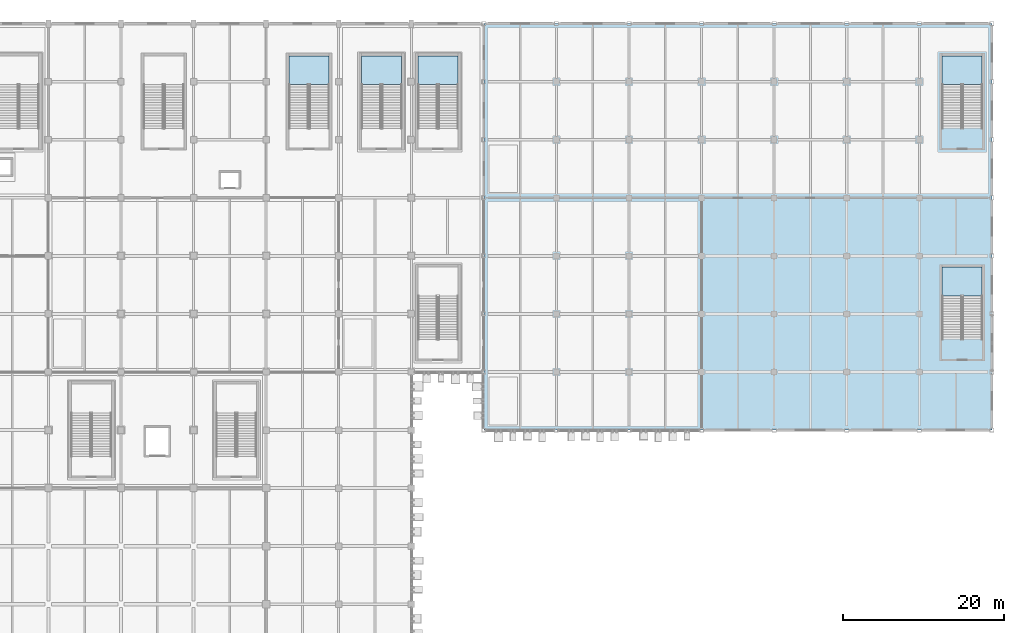
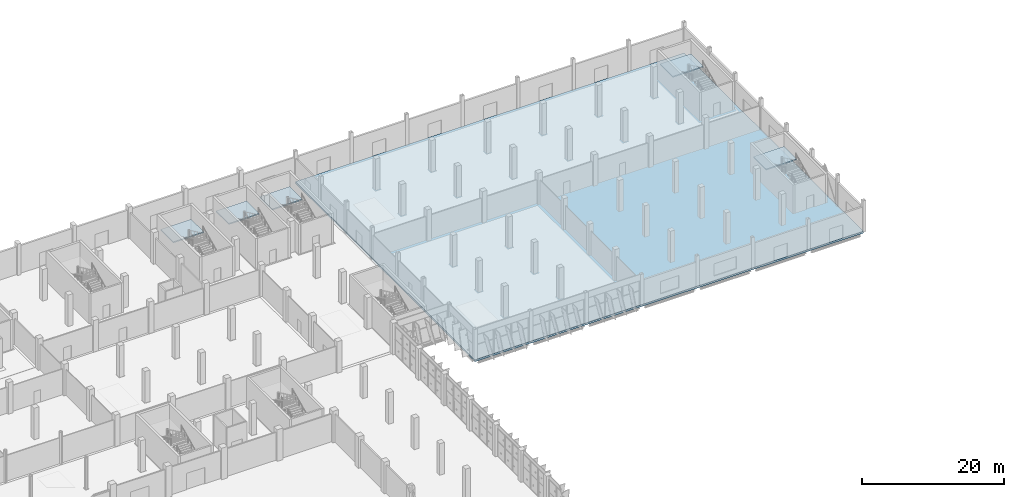
# One storey, part 77 of 137: 6 slabs, 5 elements without a shape of their own.
"""IFC4 building model written with IfcOpenShell, lengths in metres."""

from ifc_helpers import new_model, si_unit, direction, frame, origin, place, context, subcontext, project, spatial, polyline, outline, extrude, material, layer, layer_set, type_object, element, aggregate, save


model = new_model("IFC4")

# Units and contexts
model_context = context("Model", 3, precision=1e-05, world=origin(), true_north=direction((0.0, 1.0)))
body_context = subcontext(model_context, "Body", "Model", "MODEL_VIEW")
ifc_project = project(units=[si_unit("LENGTHUNIT", "METRE"), si_unit("AREAUNIT", "SQUARE_METRE"), si_unit("VOLUMEUNIT", "CUBIC_METRE"), si_unit("PLANEANGLEUNIT", "RADIAN"), si_unit("MASSUNIT", "GRAM", prefix="KILO")], contexts=[model_context])

# Site, building, storey
site_placement = place(None, origin())
site = spatial("IfcSite", under=ifc_project, at=site_placement, CompositionType="ELEMENT")
building_placement = place(site_placement, origin())
building = spatial("IfcBuilding", under=site, at=building_placement, Name="Celestram Park Convention Centre", CompositionType="ELEMENT")
storey_placement = place(building_placement, origin())
storey = spatial("IfcBuildingStorey", under=building, at=storey_placement, Name="L00", CompositionType="ELEMENT", Elevation=0.0)

# Slab
ifc_material_1 = material(Name="Concrete C35/45", Category="concrete")
ifc_layer_1 = layer(ifc_material_1, 0.320068359375)
ifc_layer_set_1 = layer_set([ifc_layer_1], Name="Concrete C35/45")
slab_type_1 = type_object("IfcSlabType", Name="STR-SLB-DCK320", PredefinedType="FLOOR", material=ifc_layer_set_1)
slab_1_placement = place(storey_placement, frame((0.0, 0.0, -0.320068359375)))
element("IfcSlab", 1, at=slab_1_placement, inside=storey, type_object=slab_type_1, Name="Floor slab L00-PLN", PredefinedType="FLOOR", context=body_context, shape_type="SweptSolid", body=[
    extrude(outline(polyline([(153.0, 115.199951171875), (153.0, 165.60009765625), (216.0, 165.60009765625), (216.0, 115.199951171875), (153.0, 115.199951171875)])), origin(), (0.0, 0.0, 1.0), 0.320068359375),
])

# Stair, slab
ifc_material_2 = material(Name="Precast Concrete C40/50", Category="concrete")
stair_type = type_object("IfcStairType", Name="ARC-STR-DOG54", PredefinedType="HALF_TURN_STAIR", material=ifc_material_2)
stair_1_placement = place(storey_placement, origin())
stair_1 = element("IfcStair", 2, at=stair_1_placement, inside=storey, type_object=stair_type, Name="L00 Core C5 stair ST-05", PredefinedType="HALF_TURN_STAIR")
ifc_layer_2 = layer(ifc_material_1, 0.199951171875)
ifc_layer_set_2 = layer_set([ifc_layer_2], Name="Concrete C35/45")
slab_type_2 = type_object("IfcSlabType", Name="STR-SLB-LND200", PredefinedType="LANDING", material=ifc_layer_set_2)
slab_2_placement = place(storey_placement, frame((0.0, 0.0, 2.5)))
slab_2 = element("IfcSlab", 3, at=slab_2_placement, type_object=slab_type_2, Name="ST-05 landing 1", PredefinedType="LANDING", context=body_context, shape_type="SweptSolid", body=[
    extrude(outline(polyline([(133.800048828125, 158.033935546875), (133.800048828125, 161.60009765625), (128.840087890625, 161.60009765625), (128.840087890625, 158.033935546875), (133.800048828125, 158.033935546875)])), origin(), (0.0, 0.0, 1.0), 0.199951171875),
])
aggregate(stair_1, [slab_2])

stair_2_placement = place(storey_placement, origin())
stair_2 = element("IfcStair", 4, at=stair_2_placement, inside=storey, type_object=stair_type, Name="L00 Core S07 stair ST-07", PredefinedType="HALF_TURN_STAIR")
slab_3_placement = place(storey_placement, frame((0.0, 0.0, 2.5)))
slab_3 = element("IfcSlab", 5, at=slab_3_placement, type_object=slab_type_2, Name="ST-07 landing 1", PredefinedType="LANDING", context=body_context, shape_type="SweptSolid", body=[
    extrude(outline(polyline([(214.800048828125, 158.033935546875), (214.800048828125, 161.60009765625), (209.840087890625, 161.60009765625), (209.840087890625, 158.033935546875), (214.800048828125, 158.033935546875)])), origin(), (0.0, 0.0, 1.0), 0.199951171875),
])
aggregate(stair_2, [slab_3])

stair_3_placement = place(storey_placement, origin())
stair_3 = element("IfcStair", 6, at=stair_3_placement, inside=storey, type_object=stair_type, Name="L00 Core S08 stair ST-08", PredefinedType="HALF_TURN_STAIR")
slab_4_placement = place(storey_placement, frame((0.0, 0.0, 2.5)))
slab_4 = element("IfcSlab", 7, at=slab_4_placement, type_object=slab_type_2, Name="ST-08 landing 1", PredefinedType="LANDING", context=body_context, shape_type="SweptSolid", body=[
    extrude(outline(polyline([(214.800048828125, 131.833984375), (214.800048828125, 135.39990234375), (209.840087890625, 135.39990234375), (209.840087890625, 131.833984375), (214.800048828125, 131.833984375)])), origin(), (0.0, 0.0, 1.0), 0.199951171875),
])
aggregate(stair_3, [slab_4])

stair_4_placement = place(storey_placement, origin())
stair_4 = element("IfcStair", 8, at=stair_4_placement, inside=storey, type_object=stair_type, Name="L00 Core S09 stair ST-09", PredefinedType="HALF_TURN_STAIR")
slab_5_placement = place(storey_placement, frame((0.0, 0.0, 2.5)))
slab_5 = element("IfcSlab", 9, at=slab_5_placement, type_object=slab_type_2, Name="ST-09 landing 1", PredefinedType="LANDING", context=body_context, shape_type="SweptSolid", body=[
    extrude(outline(polyline([(149.800048828125, 158.033935546875), (149.800048828125, 161.60009765625), (144.840087890625, 161.60009765625), (144.840087890625, 158.033935546875), (149.800048828125, 158.033935546875)])), origin(), (0.0, 0.0, 1.0), 0.199951171875),
])
aggregate(stair_4, [slab_5])

stair_5_placement = place(storey_placement, origin())
stair_5 = element("IfcStair", 10, at=stair_5_placement, inside=storey, type_object=stair_type, Name="L00 Core S22 stair ST-22", PredefinedType="HALF_TURN_STAIR")
slab_6_placement = place(storey_placement, frame((0.0, 0.0, 2.5)))
slab_6 = element("IfcSlab", 11, at=slab_6_placement, type_object=slab_type_2, Name="ST-22 landing 1", PredefinedType="LANDING", context=body_context, shape_type="SweptSolid", body=[
    extrude(outline(polyline([(142.800048828125, 158.033935546875), (142.800048828125, 161.60009765625), (137.840087890625, 161.60009765625), (137.840087890625, 158.033935546875), (142.800048828125, 158.033935546875)])), origin(), (0.0, 0.0, 1.0), 0.199951171875),
])
aggregate(stair_5, [slab_6])

save(model, "model.ifc")
